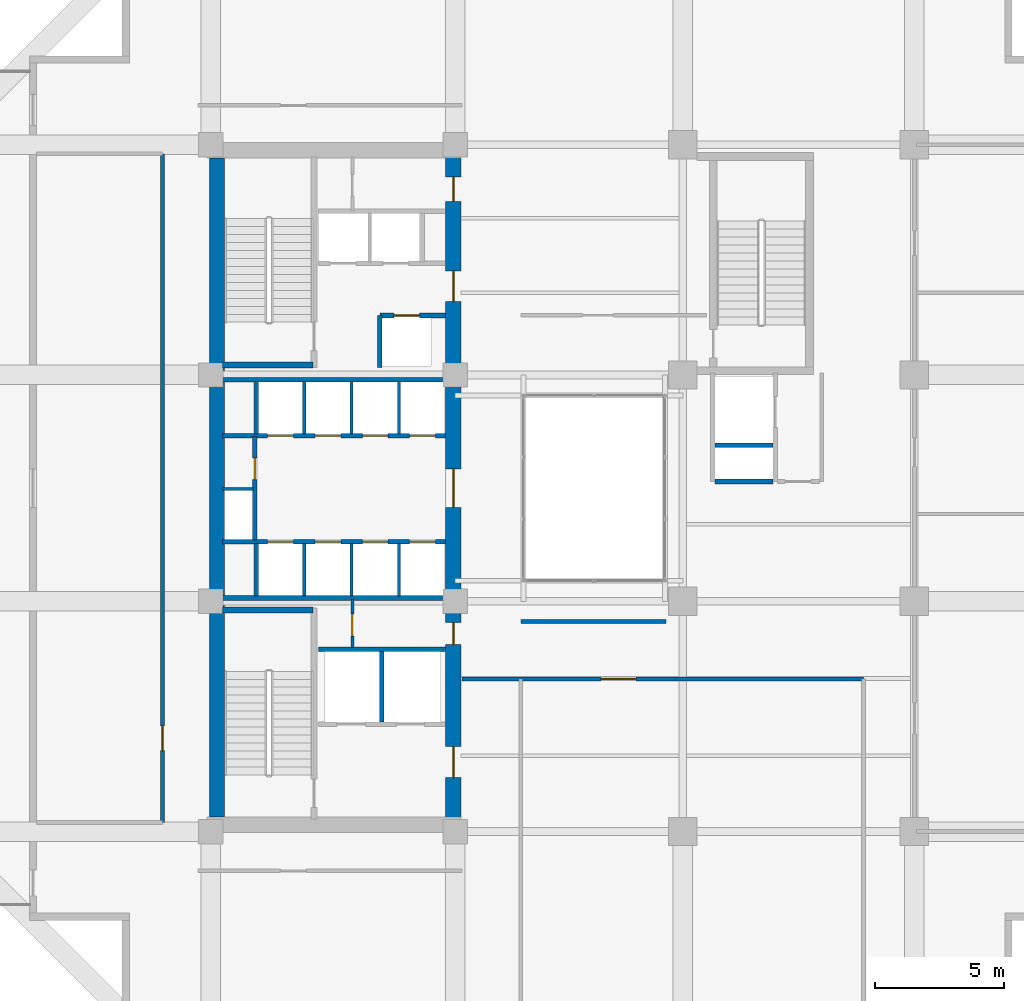
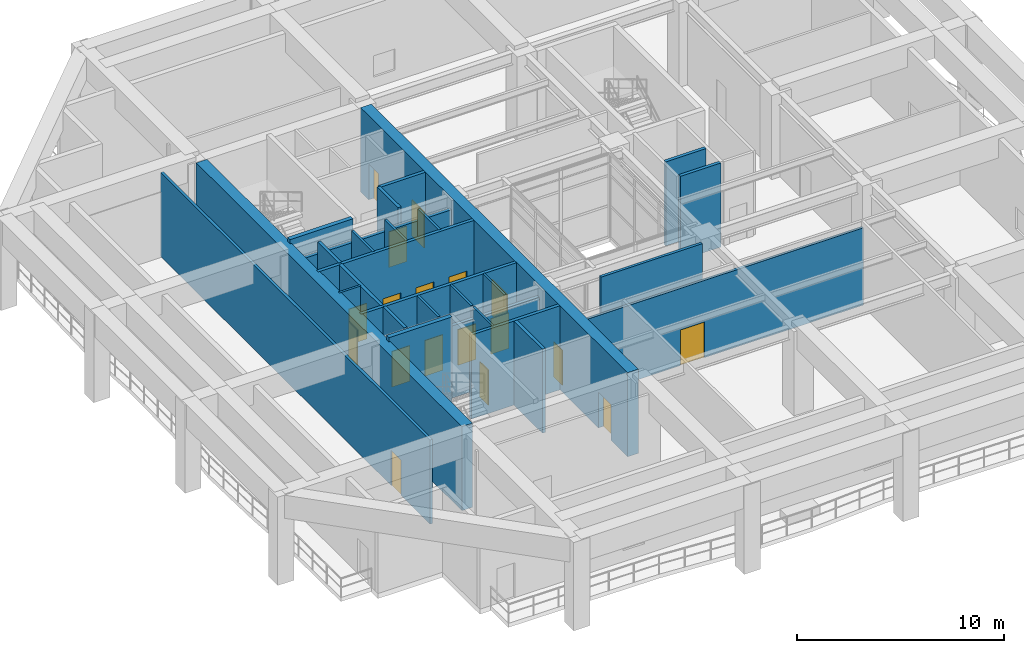
# One storey, part 6 of 13: 28 walls, 18 doors, 18 openings.
"""IFC4 building model written with IfcOpenShell, lengths in metres."""

from ifc_helpers import new_model, si_unit, direction, frame, frame_2d, origin, place, context, subcontext, project, spatial, rectangle, extrude, material, layer, layer_set, type_object, element, fill, save


model = new_model("IFC4")

# Units and contexts
model_context = context("Model", 3, precision=1e-05, world=origin(), true_north=direction((0.0, 1.0)))
body_context = subcontext(model_context, "Body", "Model", "MODEL_VIEW")
ifc_project = project(units=[si_unit("LENGTHUNIT", "METRE"), si_unit("AREAUNIT", "SQUARE_METRE"), si_unit("VOLUMEUNIT", "CUBIC_METRE"), si_unit("PLANEANGLEUNIT", "RADIAN"), si_unit("MASSUNIT", "GRAM", prefix="KILO")], contexts=[model_context])

# Site, building, storey
site_placement = place(None, origin())
site = spatial("IfcSite", under=ifc_project, at=site_placement, CompositionType="ELEMENT")
building_placement = place(site_placement, origin())
building = spatial("IfcBuilding", under=site, at=building_placement, Name="Kundavana Baori Tower", CompositionType="ELEMENT")
storey_placement = place(building_placement, frame((0.0, 0.0, 98.800048828125)))
storey = spatial("IfcBuildingStorey", under=building, at=storey_placement, Name="L23", CompositionType="ELEMENT", Elevation=98.800048828125)

# Walls
ifc_material_1 = material(Name="Concrete C50/60", Category="concrete")
ifc_layer_1 = layer(ifc_material_1, 0.39990234375, Name="WL-CORE-400")
ifc_layer_set_1 = layer_set([ifc_layer_1], Name="Concrete C50/60")
wall_type_1 = type_object("IfcWallType", Name="WL-CORE-400", PredefinedType="SHEAR", material=ifc_layer_set_1)
for number, where, z_axis, x_axis, name in (
    (1, (15.89990234375, 23.860107421875, 0.0), (0.0, 0.0, 1.0), (1.0, 0.0, 0.0), "WL-L23-ST1-N"),
    (2, (15.89990234375, 33.389892578125, 0.0), (0.0, 0.0, 1.0), (1.0, 0.0, 0.0), "WL-L23-ST2-S"),
):
    element("IfcWall", number, at=place(storey_placement, frame(where, z_axis=z_axis, x_axis=x_axis)), inside=storey, type_object=wall_type_1, Name=name, PredefinedType="SHEAR", context=body_context, shape_type="SweptSolid", body=[
        extrude(rectangle(XDim=3.52001953125, YDim=0.239990234375, at=frame_2d((1.760009765625, 0.0))), origin(), (0.0, 0.0, 1.0), 5.199951171875),
    ])
ifc_material_2 = material(Name="Concrete C60/75", Category="concrete")
ifc_layer_2 = layer(ifc_material_2, 0.60009765625, Name="WL-CORE-600")
ifc_layer_set_2 = layer_set([ifc_layer_2], Name="Concrete C60/75")
wall_type_2 = type_object("IfcWallType", Name="WL-CORE-600", PredefinedType="SHEAR", material=ifc_layer_set_2)
wall_1_placement = place(storey_placement, frame((15.68994140625, 15.81005859375, 0.0), z_axis=(0.0, 0.0, 1.0), x_axis=(0.0, 1.0, 0.0)))
element("IfcWall", 3, at=wall_1_placement, inside=storey, type_object=wall_type_2, Name="L23 Offset Core West Shear Wall", PredefinedType="SHEAR", context=body_context, shape_type="SweptSolid", body=[
    extrude(rectangle(XDim=25.6298828125, YDim=0.60009765625, at=frame_2d((12.81494140625, 0.0))), origin(), (0.0, 0.0, 1.0), 4.949951171875),
])

# Wall, openings, doors
wall_2_placement = place(storey_placement, frame((24.8798828125, 15.739990234375, 0.0), z_axis=(0.0, 0.0, 1.0), x_axis=(0.0, 1.0, 0.0)))
wall_2 = element("IfcWall", 4, at=wall_2_placement, inside=storey, type_object=wall_type_2, Name="L23 Offset Core East Shear Wall", PredefinedType="SHEAR", context=body_context, shape_type="SweptSolid", body=[
    extrude(rectangle(XDim=25.760009765625, YDim=0.60009765625, at=frame_2d((12.8798828125, 0.0))), origin(), (0.0, 0.0, 1.0), 4.949951171875),
])
opening_1_placement = place(wall_2_placement, frame((1.610107421875, 0.0, 0.0)))
opening_1 = element("IfcOpeningElement", 5, at=opening_1_placement, cuts=wall_2, Name="Opening FD-120", PredefinedType="OPENING", context=body_context, shape_type="SweptSolid", body=[
    extrude(rectangle(XDim=1.199951171875, YDim=2.10009765625, at=frame_2d((0.60009765625, 1.050048828125))), frame((0.0, 0.31005859375, 0.0), z_axis=(0.0, -1.0, 0.0), x_axis=(1.0, 0.0, 0.0)), (0.0, 0.0, 1.0), 0.6201171875),
])
opening_2_placement = place(wall_2_placement, frame((6.780029296875, 0.0, 0.0)))
opening_2 = element("IfcOpeningElement", 6, at=opening_2_placement, cuts=wall_2, Name="Opening FD-085", PredefinedType="OPENING", context=body_context, shape_type="SweptSolid", body=[
    extrude(rectangle(XDim=0.85009765625, YDim=2.06005859375, at=frame_2d((0.425048828125, 1.030029296875))), frame((0.0, 0.31005859375, 0.0), z_axis=(0.0, -1.0, 0.0), x_axis=(1.0, 0.0, 0.0)), (0.0, 0.0, 1.0), 0.6201171875),
])
opening_3_placement = place(wall_2_placement, frame((12.110107421875, 0.0, 0.0)))
opening_3 = element("IfcOpeningElement", 7, at=opening_3_placement, cuts=wall_2, Name="Opening FD-150", PredefinedType="OPENING", context=body_context, shape_type="SweptSolid", body=[
    extrude(rectangle(XDim=1.5, YDim=2.1201171875, at=frame_2d((0.75, 1.06005859375))), frame((0.0, 0.31005859375, 0.0), z_axis=(0.0, -1.0, 0.0), x_axis=(1.0, 0.0, 0.0)), (0.0, 0.0, 1.0), 0.6201171875),
])
opening_4_placement = place(wall_2_placement, frame((20.110107421875, 0.0, 0.0)))
opening_4 = element("IfcOpeningElement", 8, at=opening_4_placement, cuts=wall_2, Name="Opening FD-122", PredefinedType="OPENING", context=body_context, shape_type="SweptSolid", body=[
    extrude(rectangle(XDim=1.199951171875, YDim=2.1201171875, at=frame_2d((0.60009765625, 1.06005859375))), frame((0.0, 0.31005859375, 0.0), z_axis=(0.0, -1.0, 0.0), x_axis=(1.0, 0.0, 0.0)), (0.0, 0.0, 1.0), 0.6201171875),
])
opening_5_placement = place(wall_2_placement, frame((24.010009765625, 0.0, 0.0)))
opening_5 = element("IfcOpeningElement", 9, at=opening_5_placement, cuts=wall_2, Name="Opening FD-095", PredefinedType="OPENING", context=body_context, shape_type="SweptSolid", body=[
    extrude(rectangle(XDim=0.949951171875, YDim=2.10009765625, at=frame_2d((0.47509765625, 1.050048828125))), frame((0.0, 0.31005859375, 0.0), z_axis=(0.0, -1.0, 0.0), x_axis=(1.0, 0.0, 0.0)), (0.0, 0.0, 1.0), 0.6201171875),
])
ifc_material_3 = material(Name="Galvanised Steel Fire-Rated Door Leaf", Category="steel")
door_type_1 = type_object("IfcDoorType", Name="DR-FD120-1200", OperationType="NOTDEFINED", PredefinedType="DOOR", material=ifc_material_3)
door_1_placement = place(opening_1_placement, frame((1.199951171875, 0.0, 0.0), z_axis=(0.0, 0.0, 1.0), x_axis=(-1.0, 0.0, 0.0)))
door_1 = element("IfcDoor", 10, at=door_1_placement, inside=storey, type_object=door_type_1, Name="DR-L23-FFLOB-E", OperationType="SINGLE_SWING_RIGHT", OverallHeight=2.10009765625, OverallWidth=1.199951171875, PredefinedType="DOOR", context=body_context, shape_type="SweptSolid", body=[
    extrude(rectangle(XDim=1.199951171875, YDim=2.10009765625, at=frame_2d((0.60009765625, 1.050048828125))), frame((0.0, 0.02490234375, 0.0), z_axis=(0.0, -1.0, 0.0), x_axis=(1.0, 0.0, 0.0)), (0.0, 0.0, 1.0), 0.050048828125),
])
fill(opening_1, door_1)
ifc_material_4 = material(Name="Galvanised Steel Fire-Rated Door Leaf", Category="steel")
door_type_2 = type_object("IfcDoorType", Name="DR-FD60-1200", OperationType="NOTDEFINED", PredefinedType="DOOR", material=ifc_material_4)
door_2_placement = place(opening_4_placement, frame((1.199951171875, 0.0, 0.0), z_axis=(0.0, 0.0, 1.0), x_axis=(-1.0, 0.0, 0.0)))
door_2 = element("IfcDoor", 11, at=door_2_placement, inside=storey, type_object=door_type_2, Name="DR-L23-HRLOB-E", OperationType="SINGLE_SWING_RIGHT", OverallHeight=2.1201171875, OverallWidth=1.199951171875, PredefinedType="DOOR", context=body_context, shape_type="SweptSolid", body=[
    extrude(rectangle(XDim=1.199951171875, YDim=2.1201171875, at=frame_2d((0.60009765625, 1.06005859375))), frame((0.0, 0.02490234375, 0.0), z_axis=(0.0, -1.0, 0.0), x_axis=(1.0, 0.0, 0.0)), (0.0, 0.0, 1.0), 0.050048828125),
])
fill(opening_4, door_2)
ifc_material_5 = material(Name="Galvanised Steel Fire-Rated Door Leaf", Category="steel")
door_type_3 = type_object("IfcDoorType", Name="DR-FD60-1500", OperationType="NOTDEFINED", PredefinedType="DOOR", material=ifc_material_5)
door_3_placement = place(opening_3_placement, frame((1.5, 0.0, 0.0), z_axis=(0.0, 0.0, 1.0), x_axis=(-1.0, 0.0, 0.0)))
door_3 = element("IfcDoor", 12, at=door_3_placement, inside=storey, type_object=door_type_3, Name="DR-L23-LIFTHALL-E", OperationType="SINGLE_SWING_LEFT", OverallHeight=2.1201171875, OverallWidth=1.5, PredefinedType="DOOR", context=body_context, shape_type="SweptSolid", body=[
    extrude(rectangle(XDim=1.5, YDim=2.1201171875, at=frame_2d((0.75, 1.06005859375))), frame((0.0, 0.02490234375, 0.0), z_axis=(0.0, -1.0, 0.0), x_axis=(1.0, 0.0, 0.0)), (0.0, 0.0, 1.0), 0.050048828125),
])
fill(opening_3, door_3)
ifc_material_6 = material(Name="Galvanised Steel Fire-Rated Door Leaf", Category="steel")
door_type_4 = type_object("IfcDoorType", Name="DR-FD60-850", OperationType="NOTDEFINED", PredefinedType="DOOR", material=ifc_material_6)
door_4_placement = place(opening_2_placement, frame((0.85009765625, 0.0, 0.0), z_axis=(0.0, 0.0, 1.0), x_axis=(-1.0, 0.0, 0.0)))
door_4 = element("IfcDoor", 13, at=door_4_placement, inside=storey, type_object=door_type_4, Name="DR-L23-CSMK2", OperationType="SINGLE_SWING_LEFT", OverallHeight=2.06005859375, OverallWidth=0.85009765625, PredefinedType="DOOR", context=body_context, shape_type="SweptSolid", body=[
    extrude(rectangle(XDim=0.85009765625, YDim=2.06005859375, at=frame_2d((0.425048828125, 1.030029296875))), frame((0.0, 0.02490234375, 0.0), z_axis=(0.0, -1.0, 0.0), x_axis=(1.0, 0.0, 0.0)), (0.0, 0.0, 1.0), 0.050048828125),
])
fill(opening_2, door_4)
ifc_material_7 = material(Name="Engineered Teak Fire-Rated Timber Door Leaf", Category="wood")
door_type_5 = type_object("IfcDoorType", Name="DR-FD60-950", OperationType="NOTDEFINED", PredefinedType="DOOR", material=ifc_material_7)
door_5_placement = place(opening_5_placement, frame((0.949951171875, 0.0, 0.0), z_axis=(0.0, 0.0, 1.0), x_axis=(-1.0, 0.0, 0.0)))
door_5 = element("IfcDoor", 14, at=door_5_placement, inside=storey, type_object=door_type_5, Name="DR-L23-CSRV2", OperationType="SINGLE_SWING_LEFT", OverallHeight=2.10009765625, OverallWidth=0.949951171875, PredefinedType="DOOR", context=body_context, shape_type="SweptSolid", body=[
    extrude(rectangle(XDim=0.949951171875, YDim=2.10009765625, at=frame_2d((0.47509765625, 1.050048828125))), frame((0.0, 0.02490234375, 0.0), z_axis=(0.0, -1.0, 0.0), x_axis=(1.0, 0.0, 0.0)), (0.0, 0.0, 1.0), 0.050048828125),
])
fill(opening_5, door_5)

# Wall, opening, door
ifc_material_8 = material(Name="Acoustic Gypsum Plasterboard on Galvanised Steel Studs", Category="steel")
ifc_layer_3 = layer(ifc_material_8, 0.1201171875, Name="WL-PART-120")
ifc_layer_set_3 = layer_set([ifc_layer_3], Name="Acoustic Gypsum Plasterboard on Galvanised Steel Studs")
wall_type_3 = type_object("IfcWallType", Name="WL-PART-120", PredefinedType="PARTITIONING", material=ifc_layer_set_3)
wall_3_placement = place(storey_placement, frame((20.949951171875, 22.39990234375, 0.0), z_axis=(0.0, 0.0, 1.0), x_axis=(0.0, 1.0, 0.0)))
wall_3 = element("IfcWall", 15, at=wall_3_placement, inside=storey, type_object=wall_type_3, Name="WL-L23-CSMK-D2", PredefinedType="PARTITIONING", context=body_context, shape_type="SweptSolid", body=[
    extrude(rectangle(XDim=1.880126953125, YDim=0.1201171875, at=frame_2d((0.93994140625, 0.0))), origin(), (0.0, 0.0, 1.0), 4.949951171875),
])
opening_6_placement = place(wall_3_placement, frame((0.449951171875, 0.0, 0.0)))
opening_6 = element("IfcOpeningElement", 16, at=opening_6_placement, cuts=wall_3, Name="Opening FD-085", PredefinedType="OPENING", context=body_context, shape_type="SweptSolid", body=[
    extrude(rectangle(XDim=0.85009765625, YDim=2.06005859375, at=frame_2d((0.425048828125, 1.030029296875))), frame((0.0, 0.070068359375, 0.0), z_axis=(0.0, -1.0, 0.0), x_axis=(1.0, 0.0, 0.0)), (0.0, 0.0, 1.0), 0.14013671875),
])
door_6_placement = place(opening_6_placement, origin())
door_6 = element("IfcDoor", 17, at=door_6_placement, inside=storey, type_object=door_type_4, Name="DR-L23-CSMK1", OperationType="SINGLE_SWING_RIGHT", OverallHeight=2.06005859375, OverallWidth=0.85009765625, PredefinedType="DOOR", context=body_context, shape_type="SweptSolid", body=[
    extrude(rectangle(XDim=0.85009765625, YDim=2.06005859375, at=frame_2d((0.425048828125, 1.030029296875))), frame((0.0, 0.02490234375, 0.0), z_axis=(0.0, -1.0, 0.0), x_axis=(1.0, 0.0, 0.0)), (0.0, 0.0, 1.0), 0.050048828125),
])
fill(opening_6, door_6)

# Walls
for number, where, z_axis, x_axis, name in (
    (18, (19.080078125, 24.39990234375, 0.0), (0.0, 0.0, 1.0), (0.0, 1.0, 0.0), "WL-L23-LPLOW-D1"),
    (19, (20.919921875, 24.39990234375, 0.0), (0.0, 0.0, 1.0), (0.0, 1.0, 0.0), "WL-L23-LPLOW-D2"),
    (20, (22.760009765625, 24.39990234375, 0.0), (0.0, 0.0, 1.0), (0.0, 1.0, 0.0), "WL-L23-LPLOW-D3"),
):
    element("IfcWall", number, at=place(storey_placement, frame(where, z_axis=z_axis, x_axis=x_axis)), inside=storey, type_object=wall_type_3, Name=name, PredefinedType="PARTITIONING", context=body_context, shape_type="SweptSolid", body=[
        extrude(rectangle(XDim=2.050048828125, YDim=0.1201171875, at=frame_2d((1.02490234375, 0.0))), origin(), (0.0, 0.0, 1.0), 4.949951171875),
    ])
wall_4_placement = place(storey_placement, frame((15.89990234375, 28.56005859375, 0.0), z_axis=(0.0, 0.0, 1.0), x_axis=(1.0, 0.0, 0.0)))
element("IfcWall", 21, at=wall_4_placement, inside=storey, type_object=wall_type_3, Name="WL-L23-RSRW-N", PredefinedType="PARTITIONING", context=body_context, shape_type="SweptSolid", body=[
    extrude(rectangle(XDim=1.2001953125, YDim=0.1201171875, at=frame_2d((0.60009765625, 0.0))), origin(), (0.0, 0.0, 1.0), 4.949951171875),
])
for number, where, z_axis, x_axis, name in (
    (22, (19.080078125, 30.699951171875, 0.0), (0.0, 0.0, 1.0), (0.0, 1.0, 0.0), "WL-L23-LPMID-D1"),
    (23, (20.919921875, 30.699951171875, 0.0), (0.0, 0.0, 1.0), (0.0, 1.0, 0.0), "WL-L23-LPMID-D2"),
    (24, (22.760009765625, 30.699951171875, 0.0), (0.0, 0.0, 1.0), (0.0, 1.0, 0.0), "WL-L23-LPMID-D3"),
):
    element("IfcWall", number, at=place(storey_placement, frame(where, z_axis=z_axis, x_axis=x_axis)), inside=storey, type_object=wall_type_3, Name=name, PredefinedType="PARTITIONING", context=body_context, shape_type="SweptSolid", body=[
        extrude(rectangle(XDim=2.050048828125, YDim=0.1201171875, at=frame_2d((1.02490234375, 0.0))), origin(), (0.0, 0.0, 1.0), 4.949951171875),
    ])

# Wall, opening, door
ifc_material_9 = material(Name="Fire-Rated Gypsum Drywall on Galvanised Steel Studs", Category="steel")
ifc_layer_4 = layer(ifc_material_9, 0.14990234375, Name="WL-PART-150")
ifc_layer_set_4 = layer_set([ifc_layer_4], Name="Fire-Rated Gypsum Drywall on Galvanised Steel Studs")
wall_type_4 = type_object("IfcWallType", Name="WL-PART-150", PredefinedType="PARTITIONING", material=ifc_layer_set_4)
wall_5_placement = place(storey_placement, frame((13.570068359375, 15.60009765625, 0.0), z_axis=(0.0, 0.0, 1.0), x_axis=(0.0, 1.0, 0.0)))
wall_5 = element("IfcWall", 25, at=wall_5_placement, inside=storey, type_object=wall_type_4, Name="WL-L23-SLWE", PredefinedType="PARTITIONING", context=body_context, shape_type="SweptSolid", body=[
    extrude(rectangle(XDim=26.0, YDim=0.14990234375, at=frame_2d((13.0, 0.0))), origin(), (0.0, 0.0, 1.0), 4.949951171875),
])
opening_7_placement = place(wall_5_placement, frame((2.800048828125, 0.0, 0.0)))
opening_7 = element("IfcOpeningElement", 26, at=opening_7_placement, cuts=wall_5, Name="Opening ID-095", PredefinedType="OPENING", context=body_context, shape_type="SweptSolid", body=[
    extrude(rectangle(XDim=0.949951171875, YDim=2.080078125, at=frame_2d((0.47509765625, 1.0400390625))), frame((0.0, 0.0849609375, 0.0), z_axis=(0.0, -1.0, 0.0), x_axis=(1.0, 0.0, 0.0)), (0.0, 0.0, 1.0), 0.169921875),
])
ifc_material_10 = material(Name="Engineered Teak Solid-Core Timber Veneer", Category="wood")
door_type_6 = type_object("IfcDoorType", Name="DR-INT-950", OperationType="NOTDEFINED", PredefinedType="DOOR", material=ifc_material_10)
door_7_placement = place(opening_7_placement, origin())
door_7 = element("IfcDoor", 27, at=door_7_placement, inside=storey, type_object=door_type_6, Name="DR-L23-SLW", OperationType="SINGLE_SWING_LEFT", OverallHeight=2.080078125, OverallWidth=0.949951171875, PredefinedType="DOOR", context=body_context, shape_type="SweptSolid", body=[
    extrude(rectangle(XDim=0.949951171875, YDim=2.080078125, at=frame_2d((0.47509765625, 1.0400390625))), frame((0.0, 0.02490234375, 0.0), z_axis=(0.0, -1.0, 0.0), x_axis=(1.0, 0.0, 0.0)), (0.0, 0.0, 1.0), 0.050048828125),
])
fill(opening_7, door_7)

wall_6_placement = place(storey_placement, frame((25.219970703125, 21.179931640625, 0.0), z_axis=(0.0, 0.0, 1.0), x_axis=(1.0, 0.0, 0.0)))
wall_6 = element("IfcWall", 28, at=wall_6_placement, inside=storey, type_object=wall_type_4, Name="WL-L23-SLS", PredefinedType="PARTITIONING", context=body_context, shape_type="SweptSolid", body=[
    extrude(rectangle(XDim=15.60009765625, YDim=0.14990234375, at=frame_2d((7.800048828125, 0.0))), origin(), (0.0, 0.0, 1.0), 4.550048828125),
])
opening_8_placement = place(wall_6_placement, frame((5.39990234375, 0.0, 0.0)))
opening_8 = element("IfcOpeningElement", 29, at=opening_8_placement, cuts=wall_6, Name="Opening ID-135", PredefinedType="OPENING", context=body_context, shape_type="SweptSolid", body=[
    extrude(rectangle(XDim=1.35009765625, YDim=2.10009765625, at=frame_2d((0.675048828125, 1.050048828125))), frame((0.0, 0.0849609375, 0.0), z_axis=(0.0, -1.0, 0.0), x_axis=(1.0, 0.0, 0.0)), (0.0, 0.0, 1.0), 0.169921875),
])
ifc_material_11 = material(Name="Engineered Teak Solid-Core Timber Veneer", Category="wood")
door_type_7 = type_object("IfcDoorType", Name="DR-INT-1350", OperationType="NOTDEFINED", PredefinedType="DOOR", material=ifc_material_11)
door_8_placement = place(opening_8_placement, frame((1.35009765625, 0.0, 0.0), z_axis=(0.0, 0.0, 1.0), x_axis=(-1.0, 0.0, 0.0)))
door_8 = element("IfcDoor", 30, at=door_8_placement, inside=storey, type_object=door_type_7, Name="DR-L23-DIN", OperationType="SINGLE_SWING_LEFT", OverallHeight=2.10009765625, OverallWidth=1.35009765625, PredefinedType="DOOR", context=body_context, shape_type="SweptSolid", body=[
    extrude(rectangle(XDim=1.35009765625, YDim=2.10009765625, at=frame_2d((0.675048828125, 1.050048828125))), frame((0.0, 0.02490234375, 0.0), z_axis=(0.0, -1.0, 0.0), x_axis=(1.0, 0.0, 0.0)), (0.0, 0.0, 1.0), 0.050048828125),
])
fill(opening_8, door_8)

# Walls
wall_7_placement = place(storey_placement, frame((27.5, 23.419921875, 0.0), z_axis=(0.0, 0.0, 1.0), x_axis=(1.0, 0.0, 0.0)))
element("IfcWall", 31, at=wall_7_placement, inside=storey, type_object=wall_type_4, Name="WL-L23-SLST", PredefinedType="PARTITIONING", context=body_context, shape_type="SweptSolid", body=[
    extrude(rectangle(XDim=5.64990234375, YDim=0.14990234375, at=frame_2d((2.824951171875, 0.0))), origin(), (0.0, 0.0, 1.0), 4.949951171875),
])
ifc_material_12 = material(Name="Autoclaved Aerated Concrete Blockwork Masonry", Category="masonry")
ifc_layer_5 = layer(ifc_material_12, 0.179931640625, Name="WL-SHAFT-180")
ifc_layer_set_5 = layer_set([ifc_layer_5], Name="Autoclaved Aerated Concrete Blockwork Masonry")
wall_type_5 = type_object("IfcWallType", Name="WL-SHAFT-180", PredefinedType="SOLIDWALL", material=ifc_layer_set_5)
wall_8_placement = place(storey_placement, frame((22.10009765625, 19.510009765625, 0.0), z_axis=(0.0, 0.0, 1.0), x_axis=(0.0, 1.0, 0.0)))
element("IfcWall", 32, at=wall_8_placement, inside=storey, type_object=wall_type_5, Name="WL-L23-FFL-MID", PredefinedType="SOLIDWALL", context=body_context, shape_type="SweptSolid", body=[
    extrude(rectangle(XDim=2.739990234375, YDim=0.179931640625, at=frame_2d((1.3701171875, 0.0))), origin(), (0.0, 0.0, 1.0), 4.949951171875),
])
wall_9_placement = place(storey_placement, frame((19.639892578125, 22.340087890625, 0.0), z_axis=(0.0, 0.0, 1.0), x_axis=(1.0, 0.0, 0.0)))
element("IfcWall", 33, at=wall_9_placement, inside=storey, type_object=wall_type_5, Name="WL-L23-FFL-N", PredefinedType="SOLIDWALL", context=body_context, shape_type="SweptSolid", body=[
    extrude(rectangle(XDim=4.940185546875, YDim=0.179931640625, at=frame_2d((2.47021484375, 0.0))), origin(), (0.0, 0.0, 1.0), 4.949951171875),
])

# Wall, openings, doors
wall_10_placement = place(storey_placement, frame((15.89990234375, 26.52001953125, 0.0), z_axis=(0.0, 0.0, 1.0), x_axis=(1.0, 0.0, 0.0)))
wall_10 = element("IfcWall", 34, at=wall_10_placement, inside=storey, type_object=wall_type_5, Name="WL-L23-LPLOW-N", PredefinedType="SOLIDWALL", context=body_context, shape_type="SweptSolid", body=[
    extrude(rectangle(XDim=8.68017578125, YDim=0.179931640625, at=frame_2d((4.340087890625, 0.0))), origin(), (0.0, 0.0, 1.0), 4.949951171875),
])
opening_9_placement = place(wall_10_placement, frame((1.760009765625, 0.0, 0.0)))
opening_9 = element("IfcOpeningElement", 35, at=opening_9_placement, cuts=wall_10, Name="Opening LD-100", PredefinedType="OPENING", context=body_context, shape_type="SweptSolid", body=[
    extrude(rectangle(XDim=1.0, YDim=2.10009765625, at=frame_2d((0.5, 1.050048828125))), frame((0.0, 0.10009765625, 0.0), z_axis=(0.0, -1.0, 0.0), x_axis=(1.0, 0.0, 0.0)), (0.0, 0.0, 1.0), 0.199951171875),
])
opening_10_placement = place(wall_10_placement, frame((3.60009765625, 0.0, 0.0)))
opening_10 = element("IfcOpeningElement", 36, at=opening_10_placement, cuts=wall_10, Name="Opening LD-100", PredefinedType="OPENING", context=body_context, shape_type="SweptSolid", body=[
    extrude(rectangle(XDim=1.0, YDim=2.10009765625, at=frame_2d((0.5, 1.050048828125))), frame((0.0, 0.10009765625, 0.0), z_axis=(0.0, -1.0, 0.0), x_axis=(1.0, 0.0, 0.0)), (0.0, 0.0, 1.0), 0.199951171875),
])
opening_11_placement = place(wall_10_placement, frame((5.43994140625, 0.0, 0.0)))
opening_11 = element("IfcOpeningElement", 37, at=opening_11_placement, cuts=wall_10, Name="Opening LD-100", PredefinedType="OPENING", context=body_context, shape_type="SweptSolid", body=[
    extrude(rectangle(XDim=1.0, YDim=2.10009765625, at=frame_2d((0.5, 1.050048828125))), frame((0.0, 0.10009765625, 0.0), z_axis=(0.0, -1.0, 0.0), x_axis=(1.0, 0.0, 0.0)), (0.0, 0.0, 1.0), 0.199951171875),
])
opening_12_placement = place(wall_10_placement, frame((7.280029296875, 0.0, 0.0)))
opening_12 = element("IfcOpeningElement", 38, at=opening_12_placement, cuts=wall_10, Name="Opening LD-100", PredefinedType="OPENING", context=body_context, shape_type="SweptSolid", body=[
    extrude(rectangle(XDim=1.0, YDim=2.10009765625, at=frame_2d((0.5, 1.050048828125))), frame((0.0, 0.10009765625, 0.0), z_axis=(0.0, -1.0, 0.0), x_axis=(1.0, 0.0, 0.0)), (0.0, 0.0, 1.0), 0.199951171875),
])
ifc_material_13 = material(Name="Galvanised Steel Fire-Rated Door Leaf", Category="steel")
door_type_8 = type_object("IfcDoorType", Name="DR-SLIDE-LD1000", OperationType="NOTDEFINED", PredefinedType="DOOR", material=ifc_material_13)
door_9_placement = place(opening_9_placement, origin())
door_9 = element("IfcDoor", 39, at=door_9_placement, inside=storey, type_object=door_type_8, Name="DR-L23-LD-LP-01", OperationType="DOUBLE_DOOR_SLIDING", OverallHeight=2.10009765625, OverallWidth=1.0, PredefinedType="DOOR", context=body_context, shape_type="SweptSolid", body=[
    extrude(rectangle(XDim=1.0, YDim=2.10009765625, at=frame_2d((0.5, 1.050048828125))), frame((0.0, 0.02490234375, 0.0), z_axis=(0.0, -1.0, 0.0), x_axis=(1.0, 0.0, 0.0)), (0.0, 0.0, 1.0), 0.050048828125),
])
fill(opening_9, door_9)
door_10_placement = place(opening_10_placement, origin())
door_10 = element("IfcDoor", 40, at=door_10_placement, inside=storey, type_object=door_type_8, Name="DR-L23-LD-LP-02", OperationType="DOUBLE_DOOR_SLIDING", OverallHeight=2.10009765625, OverallWidth=1.0, PredefinedType="DOOR", context=body_context, shape_type="SweptSolid", body=[
    extrude(rectangle(XDim=1.0, YDim=2.10009765625, at=frame_2d((0.5, 1.050048828125))), frame((0.0, 0.02490234375, 0.0), z_axis=(0.0, -1.0, 0.0), x_axis=(1.0, 0.0, 0.0)), (0.0, 0.0, 1.0), 0.050048828125),
])
fill(opening_10, door_10)
door_11_placement = place(opening_11_placement, origin())
door_11 = element("IfcDoor", 41, at=door_11_placement, inside=storey, type_object=door_type_8, Name="DR-L23-LD-LP-03", OperationType="DOUBLE_DOOR_SLIDING", OverallHeight=2.10009765625, OverallWidth=1.0, PredefinedType="DOOR", context=body_context, shape_type="SweptSolid", body=[
    extrude(rectangle(XDim=1.0, YDim=2.10009765625, at=frame_2d((0.5, 1.050048828125))), frame((0.0, 0.02490234375, 0.0), z_axis=(0.0, -1.0, 0.0), x_axis=(1.0, 0.0, 0.0)), (0.0, 0.0, 1.0), 0.050048828125),
])
fill(opening_11, door_11)
door_12_placement = place(opening_12_placement, origin())
door_12 = element("IfcDoor", 42, at=door_12_placement, inside=storey, type_object=door_type_8, Name="DR-L23-LD-LP-04", OperationType="DOUBLE_DOOR_SLIDING", OverallHeight=2.10009765625, OverallWidth=1.0, PredefinedType="DOOR", context=body_context, shape_type="SweptSolid", body=[
    extrude(rectangle(XDim=1.0, YDim=2.10009765625, at=frame_2d((0.5, 1.050048828125))), frame((0.0, 0.02490234375, 0.0), z_axis=(0.0, -1.0, 0.0), x_axis=(1.0, 0.0, 0.0)), (0.0, 0.0, 1.0), 0.050048828125),
])
fill(opening_12, door_12)

# Walls
wall_11_placement = place(storey_placement, frame((15.89990234375, 24.330078125, 0.0), z_axis=(0.0, 0.0, 1.0), x_axis=(1.0, 0.0, 0.0)))
element("IfcWall", 43, at=wall_11_placement, inside=storey, type_object=wall_type_5, Name="WL-L23-LPLOW-S", PredefinedType="SOLIDWALL", context=body_context, shape_type="SweptSolid", body=[
    extrude(rectangle(XDim=8.68017578125, YDim=0.179931640625, at=frame_2d((4.340087890625, 0.0))), origin(), (0.0, 0.0, 1.0), 4.25),
])
wall_12_placement = place(storey_placement, frame((17.219970703125, 24.39990234375, 0.0), z_axis=(0.0, 0.0, 1.0), x_axis=(0.0, 1.0, 0.0)))
element("IfcWall", 44, at=wall_12_placement, inside=storey, type_object=wall_type_5, Name="WL-L23-LPLOW-W", PredefinedType="SOLIDWALL", context=body_context, shape_type="SweptSolid", body=[
    extrude(rectangle(XDim=2.050048828125, YDim=0.179931640625, at=frame_2d((1.02490234375, 0.0))), origin(), (0.0, 0.0, 1.0), 4.949951171875),
])

# Wall, opening, door
wall_13_placement = place(storey_placement, frame((17.159912109375, 26.580078125, 0.0), z_axis=(0.0, 0.0, 1.0), x_axis=(0.0, 1.0, 0.0)))
wall_13 = element("IfcWall", 45, at=wall_13_placement, inside=storey, type_object=wall_type_5, Name="WL-L23-RSRW-E", PredefinedType="SOLIDWALL", context=body_context, shape_type="SweptSolid", body=[
    extrude(rectangle(XDim=4.02001953125, YDim=0.179931640625, at=frame_2d((2.010009765625, 0.0))), origin(), (0.0, 0.0, 1.0), 4.949951171875),
])
opening_13_placement = place(wall_13_placement, frame((2.35009765625, 0.0, 0.0)))
opening_13 = element("IfcOpeningElement", 46, at=opening_13_placement, cuts=wall_13, Name="Opening FD-085", PredefinedType="OPENING", context=body_context, shape_type="SweptSolid", body=[
    extrude(rectangle(XDim=0.85009765625, YDim=2.06005859375, at=frame_2d((0.425048828125, 1.030029296875))), frame((0.0, 0.10009765625, 0.0), z_axis=(0.0, -1.0, 0.0), x_axis=(1.0, 0.0, 0.0)), (0.0, 0.0, 1.0), 0.199951171875),
])
door_13_placement = place(opening_13_placement, origin())
door_13 = element("IfcDoor", 47, at=door_13_placement, inside=storey, type_object=door_type_4, Name="DR-L23-CLN", OperationType="SINGLE_SWING_RIGHT", OverallHeight=2.06005859375, OverallWidth=0.85009765625, PredefinedType="DOOR", context=body_context, shape_type="SweptSolid", body=[
    extrude(rectangle(XDim=0.85009765625, YDim=2.06005859375, at=frame_2d((0.425048828125, 1.030029296875))), frame((0.0, 0.02490234375, 0.0), z_axis=(0.0, -1.0, 0.0), x_axis=(1.0, 0.0, 0.0)), (0.0, 0.0, 1.0), 0.050048828125),
])
fill(opening_13, door_13)

# Wall, openings, doors
wall_14_placement = place(storey_placement, frame((15.89990234375, 30.639892578125, 0.0), z_axis=(0.0, 0.0, 1.0), x_axis=(1.0, 0.0, 0.0)))
wall_14 = element("IfcWall", 48, at=wall_14_placement, inside=storey, type_object=wall_type_5, Name="WL-L23-LPMID-S", PredefinedType="SOLIDWALL", context=body_context, shape_type="SweptSolid", body=[
    extrude(rectangle(XDim=8.68017578125, YDim=0.179931640625, at=frame_2d((4.340087890625, 0.0))), origin(), (0.0, 0.0, 1.0), 4.949951171875),
])
opening_14_placement = place(wall_14_placement, frame((1.760009765625, 0.0, 0.0)))
opening_14 = element("IfcOpeningElement", 49, at=opening_14_placement, cuts=wall_14, Name="Opening LD-100", PredefinedType="OPENING", context=body_context, shape_type="SweptSolid", body=[
    extrude(rectangle(XDim=1.0, YDim=2.10009765625, at=frame_2d((0.5, 1.050048828125))), frame((0.0, 0.10009765625, 0.0), z_axis=(0.0, -1.0, 0.0), x_axis=(1.0, 0.0, 0.0)), (0.0, 0.0, 1.0), 0.199951171875),
])
opening_15_placement = place(wall_14_placement, frame((3.60009765625, 0.0, 0.0)))
opening_15 = element("IfcOpeningElement", 50, at=opening_15_placement, cuts=wall_14, Name="Opening LD-100", PredefinedType="OPENING", context=body_context, shape_type="SweptSolid", body=[
    extrude(rectangle(XDim=1.0, YDim=2.10009765625, at=frame_2d((0.5, 1.050048828125))), frame((0.0, 0.10009765625, 0.0), z_axis=(0.0, -1.0, 0.0), x_axis=(1.0, 0.0, 0.0)), (0.0, 0.0, 1.0), 0.199951171875),
])
opening_16_placement = place(wall_14_placement, frame((5.43994140625, 0.0, 0.0)))
opening_16 = element("IfcOpeningElement", 51, at=opening_16_placement, cuts=wall_14, Name="Opening LD-100", PredefinedType="OPENING", context=body_context, shape_type="SweptSolid", body=[
    extrude(rectangle(XDim=1.0, YDim=2.10009765625, at=frame_2d((0.5, 1.050048828125))), frame((0.0, 0.10009765625, 0.0), z_axis=(0.0, -1.0, 0.0), x_axis=(1.0, 0.0, 0.0)), (0.0, 0.0, 1.0), 0.199951171875),
])
opening_17_placement = place(wall_14_placement, frame((7.280029296875, 0.0, 0.0)))
opening_17 = element("IfcOpeningElement", 52, at=opening_17_placement, cuts=wall_14, Name="Opening LD-100", PredefinedType="OPENING", context=body_context, shape_type="SweptSolid", body=[
    extrude(rectangle(XDim=1.0, YDim=2.10009765625, at=frame_2d((0.5, 1.050048828125))), frame((0.0, 0.10009765625, 0.0), z_axis=(0.0, -1.0, 0.0), x_axis=(1.0, 0.0, 0.0)), (0.0, 0.0, 1.0), 0.199951171875),
])
door_14_placement = place(opening_14_placement, frame((1.0, 0.0, 0.0), z_axis=(0.0, 0.0, 1.0), x_axis=(-1.0, 0.0, 0.0)))
door_14 = element("IfcDoor", 53, at=door_14_placement, inside=storey, type_object=door_type_8, Name="DR-L23-LD-LP-05", OperationType="DOUBLE_DOOR_SLIDING", OverallHeight=2.10009765625, OverallWidth=1.0, PredefinedType="DOOR", context=body_context, shape_type="SweptSolid", body=[
    extrude(rectangle(XDim=1.0, YDim=2.10009765625, at=frame_2d((0.5, 1.050048828125))), frame((0.0, 0.02490234375, 0.0), z_axis=(0.0, -1.0, 0.0), x_axis=(1.0, 0.0, 0.0)), (0.0, 0.0, 1.0), 0.050048828125),
])
fill(opening_14, door_14)
door_15_placement = place(opening_15_placement, frame((1.0, 0.0, 0.0), z_axis=(0.0, 0.0, 1.0), x_axis=(-1.0, 0.0, 0.0)))
door_15 = element("IfcDoor", 54, at=door_15_placement, inside=storey, type_object=door_type_8, Name="DR-L23-LD-LP-06", OperationType="DOUBLE_DOOR_SLIDING", OverallHeight=2.10009765625, OverallWidth=1.0, PredefinedType="DOOR", context=body_context, shape_type="SweptSolid", body=[
    extrude(rectangle(XDim=1.0, YDim=2.10009765625, at=frame_2d((0.5, 1.050048828125))), frame((0.0, 0.02490234375, 0.0), z_axis=(0.0, -1.0, 0.0), x_axis=(1.0, 0.0, 0.0)), (0.0, 0.0, 1.0), 0.050048828125),
])
fill(opening_15, door_15)
door_16_placement = place(opening_16_placement, frame((1.0, 0.0, 0.0), z_axis=(0.0, 0.0, 1.0), x_axis=(-1.0, 0.0, 0.0)))
door_16 = element("IfcDoor", 55, at=door_16_placement, inside=storey, type_object=door_type_8, Name="DR-L23-LD-LP-07", OperationType="DOUBLE_DOOR_SLIDING", OverallHeight=2.10009765625, OverallWidth=1.0, PredefinedType="DOOR", context=body_context, shape_type="SweptSolid", body=[
    extrude(rectangle(XDim=1.0, YDim=2.10009765625, at=frame_2d((0.5, 1.050048828125))), frame((0.0, 0.02490234375, 0.0), z_axis=(0.0, -1.0, 0.0), x_axis=(1.0, 0.0, 0.0)), (0.0, 0.0, 1.0), 0.050048828125),
])
fill(opening_16, door_16)
door_17_placement = place(opening_17_placement, frame((1.0, 0.0, 0.0), z_axis=(0.0, 0.0, 1.0), x_axis=(-1.0, 0.0, 0.0)))
door_17 = element("IfcDoor", 56, at=door_17_placement, inside=storey, type_object=door_type_8, Name="DR-L23-LD-LP-08", OperationType="DOUBLE_DOOR_SLIDING", OverallHeight=2.10009765625, OverallWidth=1.0, PredefinedType="DOOR", context=body_context, shape_type="SweptSolid", body=[
    extrude(rectangle(XDim=1.0, YDim=2.10009765625, at=frame_2d((0.5, 1.050048828125))), frame((0.0, 0.02490234375, 0.0), z_axis=(0.0, -1.0, 0.0), x_axis=(1.0, 0.0, 0.0)), (0.0, 0.0, 1.0), 0.050048828125),
])
fill(opening_17, door_17)

# Walls
wall_15_placement = place(storey_placement, frame((15.89990234375, 32.820068359375, 0.0), z_axis=(0.0, 0.0, 1.0), x_axis=(1.0, 0.0, 0.0)))
element("IfcWall", 57, at=wall_15_placement, inside=storey, type_object=wall_type_5, Name="WL-L23-LPMID-N", PredefinedType="SOLIDWALL", context=body_context, shape_type="SweptSolid", body=[
    extrude(rectangle(XDim=8.68017578125, YDim=0.179931640625, at=frame_2d((4.340087890625, 0.0))), origin(), (0.0, 0.0, 1.0), 4.25),
])
wall_16_placement = place(storey_placement, frame((17.219970703125, 30.699951171875, 0.0), z_axis=(0.0, 0.0, 1.0), x_axis=(0.0, 1.0, 0.0)))
element("IfcWall", 58, at=wall_16_placement, inside=storey, type_object=wall_type_5, Name="WL-L23-LPMID-W", PredefinedType="SOLIDWALL", context=body_context, shape_type="SweptSolid", body=[
    extrude(rectangle(XDim=2.050048828125, YDim=0.179931640625, at=frame_2d((1.02490234375, 0.0))), origin(), (0.0, 0.0, 1.0), 4.949951171875),
])

# Wall, opening, door
wall_17_placement = place(storey_placement, frame((22.02001953125, 35.31005859375, 0.0), z_axis=(0.0, 0.0, 1.0), x_axis=(1.0, 0.0, 0.0)))
wall_17 = element("IfcWall", 59, at=wall_17_placement, inside=storey, type_object=wall_type_5, Name="WL-L23-LP11-N", PredefinedType="SOLIDWALL", context=body_context, shape_type="SweptSolid", body=[
    extrude(rectangle(XDim=2.56005859375, YDim=0.179931640625, at=frame_2d((1.280029296875, 0.0))), origin(), (0.0, 0.0, 1.0), 4.949951171875),
])
opening_18_placement = place(wall_17_placement, frame((0.550048828125, 0.0, 0.0)))
opening_18 = element("IfcOpeningElement", 60, at=opening_18_placement, cuts=wall_17, Name="Opening LD-100", PredefinedType="OPENING", context=body_context, shape_type="SweptSolid", body=[
    extrude(rectangle(XDim=1.0, YDim=2.10009765625, at=frame_2d((0.5, 1.050048828125))), frame((0.0, 0.10009765625, 0.0), z_axis=(0.0, -1.0, 0.0), x_axis=(1.0, 0.0, 0.0)), (0.0, 0.0, 1.0), 0.199951171875),
])
door_18_placement = place(opening_18_placement, origin())
door_18 = element("IfcDoor", 61, at=door_18_placement, inside=storey, type_object=door_type_8, Name="DR-L23-LD-LP11", OperationType="DOUBLE_DOOR_SLIDING", OverallHeight=2.10009765625, OverallWidth=1.0, PredefinedType="DOOR", context=body_context, shape_type="SweptSolid", body=[
    extrude(rectangle(XDim=1.0, YDim=2.10009765625, at=frame_2d((0.5, 1.050048828125))), frame((0.0, 0.02490234375, 0.0), z_axis=(0.0, -1.0, 0.0), x_axis=(1.0, 0.0, 0.0)), (0.0, 0.0, 1.0), 0.050048828125),
])
fill(opening_18, door_18)

# Walls
wall_18_placement = place(storey_placement, frame((22.02001953125, 33.300048828125, 0.0), z_axis=(0.0, 0.0, 1.0), x_axis=(0.0, 1.0, 0.0)))
element("IfcWall", 62, at=wall_18_placement, inside=storey, type_object=wall_type_5, Name="WL-L23-LP11-W", PredefinedType="SOLIDWALL", context=body_context, shape_type="SweptSolid", body=[
    extrude(rectangle(XDim=2.010009765625, YDim=0.179931640625, at=frame_2d((1.0048828125, 0.0))), origin(), (0.0, 0.0, 1.0), 4.949951171875),
])
for number, where, z_axis, x_axis, name in (
    (63, (35.050048828125, 28.860107421875, 0.0), (0.0, 0.0, 1.0), (1.0, 0.0, 0.0), "WL-L23-SVL-S"),
    (64, (35.050048828125, 30.27001953125, 0.0), (0.0, 0.0, 1.0), (1.0, 0.0, 0.0), "WL-L23-SVL-M"),
):
    element("IfcWall", number, at=place(storey_placement, frame(where, z_axis=z_axis, x_axis=x_axis)), inside=storey, type_object=wall_type_5, Name=name, PredefinedType="SOLIDWALL", context=body_context, shape_type="SweptSolid", body=[
        extrude(rectangle(XDim=2.25, YDim=0.179931640625, at=frame_2d((1.125, 0.0))), origin(), (0.0, 0.0, 1.0), 4.949951171875),
    ])

save(model, "model.ifc")
